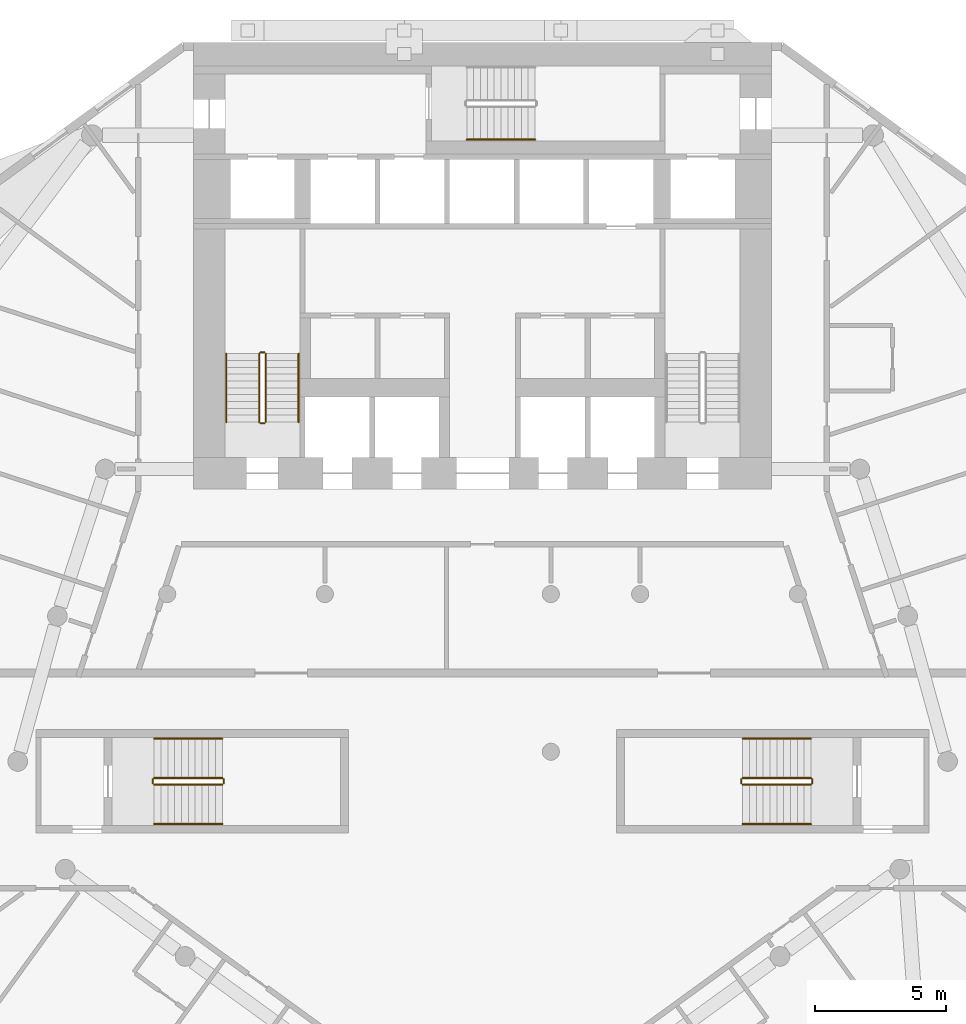
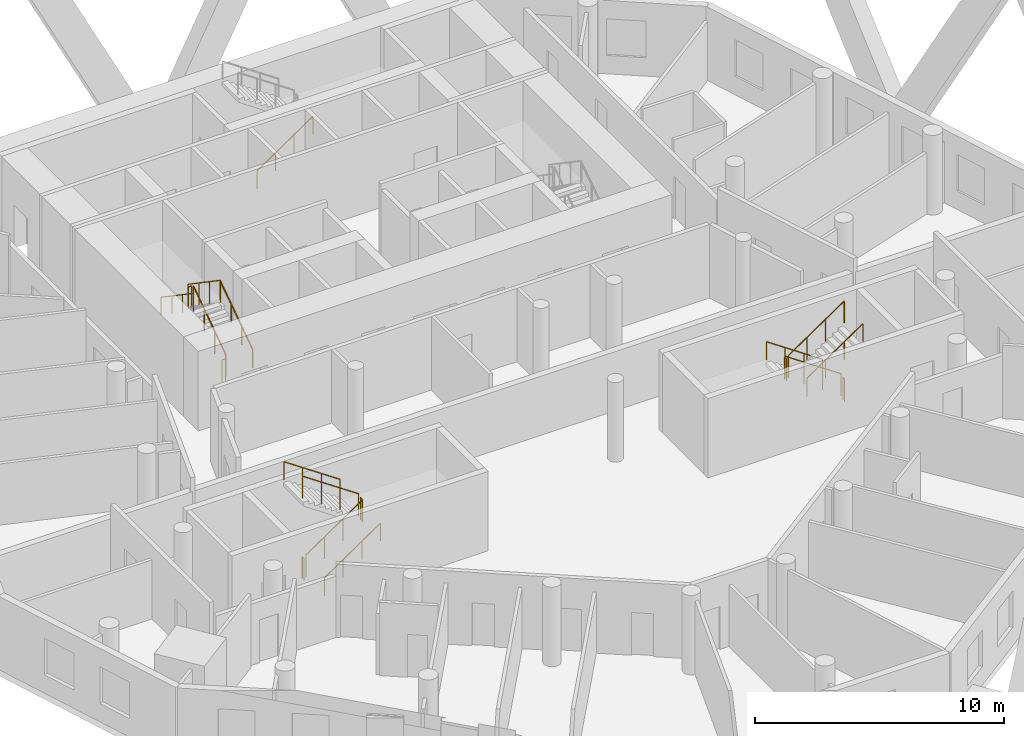
# One storey, part 9 of 10: 19 railings.
"""IFC4 building model written with IfcOpenShell, lengths in metres."""

from ifc_helpers import new_model, si_unit, direction, frame, origin, origin_2d, place, context, subcontext, project, spatial, circle, extrude, material, type_object, element, save


model = new_model("IFC4")

# Units and contexts
model_context = context("Model", 3, precision=1e-05, world=origin(), true_north=direction((0.0, 1.0)))
body_context = subcontext(model_context, "Body", "Model", "MODEL_VIEW")
ifc_project = project(units=[si_unit("LENGTHUNIT", "METRE"), si_unit("AREAUNIT", "SQUARE_METRE"), si_unit("VOLUMEUNIT", "CUBIC_METRE"), si_unit("PLANEANGLEUNIT", "RADIAN"), si_unit("MASSUNIT", "GRAM", prefix="KILO")], contexts=[model_context])

# Site, building, storey
site_placement = place(None, origin())
site = spatial("IfcSite", under=ifc_project, at=site_placement, CompositionType="ELEMENT")
building_placement = place(site_placement, origin())
building = spatial("IfcBuilding", under=site, at=building_placement, Name="White Candle Pilgrim Tower", CompositionType="ELEMENT")
storey_placement = place(building_placement, frame((0.0, 0.0, 42.89990234375)))
storey = spatial("IfcBuildingStorey", under=building, at=storey_placement, Name="L07", CompositionType="ELEMENT", Elevation=42.89990234375)

# Railings
ifc_material = material(Name="Stainless steel", Category="steel")
railing_type_1 = type_object("IfcRailingType", Name="Stair guard stainless steel 1100 mm", PredefinedType="GUARDRAIL", material=ifc_material)
railing_1_placement = place(storey_placement, frame((61.75, 73.550048828125, 0.177490234375)))
element("IfcRailing", 1, at=railing_1_placement, inside=storey, type_object=railing_type_1, Name="L07 ST1 stair guard 1", PredefinedType="GUARDRAIL", context=body_context, shape_type="SweptSolid", body=[
    extrude(circle(Radius=0.02392578125, at=origin_2d()), frame((0.0, 0.0, 1.076171875), z_axis=(0.0, 0.826215852431, 0.563353676824), x_axis=(-1.0, 0.0, 0.0)), (0.0, 0.0, 1.0), 3.146728515625),
    extrude(circle(Radius=0.02099609375, at=origin_2d()), origin(), (0.0, 0.0, 1.0), 1.052001953125),
    extrude(circle(Radius=0.02099609375, at=origin_2d()), frame((0.0, 0.86669921875, 0.5908203125)), (0.0, 0.0, 1.0), 1.052001953125),
    extrude(circle(Radius=0.02099609375, at=origin_2d()), frame((0.0, 1.733154296875, 1.181884765625)), (0.0, 0.0, 1.0), 1.052001953125),
    extrude(circle(Radius=0.02099609375, at=origin_2d()), frame((0.0, 2.599853515625, 1.772705078125)), (0.0, 0.0, 1.0), 1.052001953125),
])
railing_2_placement = place(storey_placement, frame((61.699951171875, 76.199951171875, 1.9501953125)))
element("IfcRailing", 2, at=railing_2_placement, inside=storey, type_object=railing_type_1, Name="L07 ST1 stair guard 2", PredefinedType="GUARDRAIL", context=body_context, shape_type="SweptSolid", body=[
    extrude(circle(Radius=0.02392578125, at=origin_2d()), frame((0.0, 0.0, 1.076171875), z_axis=(-1.0, 0.0, 0.0), x_axis=(0.0, -1.0, 0.0)), (0.0, 0.0, 1.0), 0.14990234375),
    extrude(circle(Radius=0.02099609375, at=origin_2d()), origin(), (0.0, 0.0, 1.0), 1.052001953125),
    extrude(circle(Radius=0.02099609375, at=origin_2d()), frame((-0.14990234375, 0.0, 0.0)), (0.0, 0.0, 1.0), 1.052001953125),
])
railing_3_placement = place(storey_placement, frame((61.5, 76.14990234375, 2.12744140625)))
element("IfcRailing", 3, at=railing_3_placement, inside=storey, type_object=railing_type_1, Name="L07 ST1 stair guard 3", PredefinedType="GUARDRAIL", context=body_context, shape_type="SweptSolid", body=[
    extrude(circle(Radius=0.02392578125, at=origin_2d()), frame((0.0, 0.0, 1.076171875), z_axis=(0.0, -0.826215852431, 0.563353676824), x_axis=(1.0, 0.0, 0.0)), (0.0, 0.0, 1.0), 3.146728515625),
    extrude(circle(Radius=0.02099609375, at=origin_2d()), origin(), (0.0, 0.0, 1.0), 1.052001953125),
    extrude(circle(Radius=0.02099609375, at=origin_2d()), frame((0.0, -0.86669921875, 0.5908203125)), (0.0, 0.0, 1.0), 1.052001953125),
    extrude(circle(Radius=0.02099609375, at=origin_2d()), frame((0.0, -1.733154296875, 1.181884765625)), (0.0, 0.0, 1.0), 1.052001953125),
    extrude(circle(Radius=0.02099609375, at=origin_2d()), frame((0.0, -2.599853515625, 1.772705078125)), (0.0, 0.0, 1.0), 1.052001953125),
])
railing_4_placement = place(storey_placement, frame((61.699951171875, 73.5, 0.0)))
element("IfcRailing", 4, at=railing_4_placement, inside=storey, type_object=railing_type_1, Name="L07 ST1 stair guard 4", PredefinedType="GUARDRAIL", context=body_context, shape_type="SweptSolid", body=[
    extrude(circle(Radius=0.02392578125, at=origin_2d()), frame((0.0, 0.0, 1.076171875), z_axis=(-1.0, 0.0, 0.0), x_axis=(0.0, -1.0, 0.0)), (0.0, 0.0, 1.0), 0.14990234375),
    extrude(circle(Radius=0.02099609375, at=origin_2d()), origin(), (0.0, 0.0, 1.0), 1.052001953125),
    extrude(circle(Radius=0.02099609375, at=origin_2d()), frame((-0.14990234375, 0.0, 0.0)), (0.0, 0.0, 1.0), 1.052001953125),
])
railing_5_placement = place(storey_placement, frame((82.5, 60.0, 0.177490234375)))
element("IfcRailing", 5, at=railing_5_placement, inside=storey, type_object=railing_type_1, Name="L07 ST4 stair guard 1", PredefinedType="GUARDRAIL", context=body_context, shape_type="SweptSolid", body=[
    extrude(circle(Radius=0.02392578125, at=origin_2d()), frame((0.0, 0.0, 1.076171875), z_axis=(-0.826240473404, 0.0, 0.563317565952), x_axis=(0.0, -1.0, 0.0)), (0.0, 0.0, 1.0), 3.14697265625),
    extrude(circle(Radius=0.02099609375, at=origin_2d()), origin(), (0.0, 0.0, 1.0), 1.052001953125),
    extrude(circle(Radius=0.02099609375, at=origin_2d()), frame((-0.86669921875, 0.0, 0.5908203125)), (0.0, 0.0, 1.0), 1.052001953125),
    extrude(circle(Radius=0.02099609375, at=origin_2d()), frame((-1.7333984375, 0.0, 1.181884765625)), (0.0, 0.0, 1.0), 1.052001953125),
    extrude(circle(Radius=0.02099609375, at=origin_2d()), frame((-2.60009765625, 0.0, 1.772705078125)), (0.0, 0.0, 1.0), 1.052001953125),
])
railing_6_placement = place(storey_placement, frame((79.85009765625, 59.949951171875, 1.9501953125)))
element("IfcRailing", 6, at=railing_6_placement, inside=storey, type_object=railing_type_1, Name="L07 ST4 stair guard 2", PredefinedType="GUARDRAIL", context=body_context, shape_type="SweptSolid", body=[
    extrude(circle(Radius=0.02392578125, at=origin_2d()), frame((0.0, 0.0, 1.076171875), z_axis=(0.0, -1.0, 0.0), x_axis=(1.0, 0.0, 0.0)), (0.0, 0.0, 1.0), 0.14990234375),
    extrude(circle(Radius=0.02099609375, at=origin_2d()), origin(), (0.0, 0.0, 1.0), 1.052001953125),
    extrude(circle(Radius=0.02099609375, at=origin_2d()), frame((0.0, -0.14990234375, 0.0)), (0.0, 0.0, 1.0), 1.052001953125),
])
railing_7_placement = place(storey_placement, frame((79.89990234375, 59.75, 2.12744140625)))
element("IfcRailing", 7, at=railing_7_placement, inside=storey, type_object=railing_type_1, Name="L07 ST4 stair guard 3", PredefinedType="GUARDRAIL", context=body_context, shape_type="SweptSolid", body=[
    extrude(circle(Radius=0.02392578125, at=origin_2d()), frame((0.0, 0.0, 1.076171875), z_axis=(0.826240473404, 0.0, 0.563317565952), x_axis=(0.0, 1.0, 0.0)), (0.0, 0.0, 1.0), 3.14697265625),
    extrude(circle(Radius=0.02099609375, at=origin_2d()), origin(), (0.0, 0.0, 1.0), 1.052001953125),
    extrude(circle(Radius=0.02099609375, at=origin_2d()), frame((0.86669921875, 0.0, 0.5908203125)), (0.0, 0.0, 1.0), 1.052001953125),
    extrude(circle(Radius=0.02099609375, at=origin_2d()), frame((1.7333984375, 0.0, 1.181884765625)), (0.0, 0.0, 1.0), 1.052001953125),
    extrude(circle(Radius=0.02099609375, at=origin_2d()), frame((2.60009765625, 0.0, 1.772705078125)), (0.0, 0.0, 1.0), 1.052001953125),
])
railing_8_placement = place(storey_placement, frame((82.550048828125, 59.949951171875, 0.0)))
element("IfcRailing", 8, at=railing_8_placement, inside=storey, type_object=railing_type_1, Name="L07 ST4 stair guard 4", PredefinedType="GUARDRAIL", context=body_context, shape_type="SweptSolid", body=[
    extrude(circle(Radius=0.02392578125, at=origin_2d()), frame((0.0, 0.0, 1.076171875), z_axis=(0.0, -1.0, 0.0), x_axis=(1.0, 0.0, 0.0)), (0.0, 0.0, 1.0), 0.14990234375),
    extrude(circle(Radius=0.02099609375, at=origin_2d()), origin(), (0.0, 0.0, 1.0), 1.052001953125),
    extrude(circle(Radius=0.02099609375, at=origin_2d()), frame((0.0, -0.14990234375, 0.0)), (0.0, 0.0, 1.0), 1.052001953125),
])
railing_9_placement = place(storey_placement, frame((57.5, 59.75, 0.177490234375)))
element("IfcRailing", 9, at=railing_9_placement, inside=storey, type_object=railing_type_1, Name="L07 ST5 stair guard 1", PredefinedType="GUARDRAIL", context=body_context, shape_type="SweptSolid", body=[
    extrude(circle(Radius=0.02392578125, at=origin_2d()), frame((0.0, 0.0, 1.076171875), z_axis=(0.826240473404, 0.0, 0.563317565952), x_axis=(0.0, 1.0, 0.0)), (0.0, 0.0, 1.0), 3.14697265625),
    extrude(circle(Radius=0.02099609375, at=origin_2d()), origin(), (0.0, 0.0, 1.0), 1.052001953125),
    extrude(circle(Radius=0.02099609375, at=origin_2d()), frame((0.86669921875, 0.0, 0.5908203125)), (0.0, 0.0, 1.0), 1.052001953125),
    extrude(circle(Radius=0.02099609375, at=origin_2d()), frame((1.7333984375, 0.0, 1.181884765625)), (0.0, 0.0, 1.0), 1.052001953125),
    extrude(circle(Radius=0.02099609375, at=origin_2d()), frame((2.60009765625, 0.0, 1.772705078125)), (0.0, 0.0, 1.0), 1.052001953125),
])
railing_10_placement = place(storey_placement, frame((60.14990234375, 59.800048828125, 1.9501953125)))
element("IfcRailing", 10, at=railing_10_placement, inside=storey, type_object=railing_type_1, Name="L07 ST5 stair guard 2", PredefinedType="GUARDRAIL", context=body_context, shape_type="SweptSolid", body=[
    extrude(circle(Radius=0.02392578125, at=origin_2d()), frame((0.0, 0.0, 1.076171875), z_axis=(0.0, 1.0, 0.0), x_axis=(-1.0, 0.0, 0.0)), (0.0, 0.0, 1.0), 0.14990234375),
    extrude(circle(Radius=0.02099609375, at=origin_2d()), origin(), (0.0, 0.0, 1.0), 1.052001953125),
    extrude(circle(Radius=0.02099609375, at=origin_2d()), frame((0.0, 0.14990234375, 0.0)), (0.0, 0.0, 1.0), 1.052001953125),
])
railing_11_placement = place(storey_placement, frame((60.10009765625, 60.0, 2.12744140625)))
element("IfcRailing", 11, at=railing_11_placement, inside=storey, type_object=railing_type_1, Name="L07 ST5 stair guard 3", PredefinedType="GUARDRAIL", context=body_context, shape_type="SweptSolid", body=[
    extrude(circle(Radius=0.02392578125, at=origin_2d()), frame((0.0, 0.0, 1.076171875), z_axis=(-0.826240473404, 0.0, 0.563317565952), x_axis=(0.0, -1.0, 0.0)), (0.0, 0.0, 1.0), 3.14697265625),
    extrude(circle(Radius=0.02099609375, at=origin_2d()), origin(), (0.0, 0.0, 1.0), 1.052001953125),
    extrude(circle(Radius=0.02099609375, at=origin_2d()), frame((-0.86669921875, 0.0, 0.5908203125)), (0.0, 0.0, 1.0), 1.052001953125),
    extrude(circle(Radius=0.02099609375, at=origin_2d()), frame((-1.7333984375, 0.0, 1.181884765625)), (0.0, 0.0, 1.0), 1.052001953125),
    extrude(circle(Radius=0.02099609375, at=origin_2d()), frame((-2.60009765625, 0.0, 1.772705078125)), (0.0, 0.0, 1.0), 1.052001953125),
])
railing_12_placement = place(storey_placement, frame((57.449951171875, 59.800048828125, 0.0)))
element("IfcRailing", 12, at=railing_12_placement, inside=storey, type_object=railing_type_1, Name="L07 ST5 stair guard 4", PredefinedType="GUARDRAIL", context=body_context, shape_type="SweptSolid", body=[
    extrude(circle(Radius=0.02392578125, at=origin_2d()), frame((0.0, 0.0, 1.076171875), z_axis=(0.0, 1.0, 0.0), x_axis=(-1.0, 0.0, 0.0)), (0.0, 0.0, 1.0), 0.14990234375),
    extrude(circle(Radius=0.02099609375, at=origin_2d()), origin(), (0.0, 0.0, 1.0), 1.052001953125),
    extrude(circle(Radius=0.02099609375, at=origin_2d()), frame((0.0, 0.14990234375, 0.0)), (0.0, 0.0, 1.0), 1.052001953125),
])
railing_type_2 = type_object("IfcRailingType", Name="Stair handrail stainless steel", PredefinedType="HANDRAIL", material=ifc_material)
railing_13_placement = place(storey_placement, frame((63.0, 73.550048828125, 0.177490234375)))
element("IfcRailing", 13, at=railing_13_placement, inside=storey, type_object=railing_type_2, Name="L07 ST1 stair handrail 1", PredefinedType="HANDRAIL", context=body_context, shape_type="SweptSolid", body=[
    extrude(circle(Radius=0.02392578125, at=origin_2d()), frame((0.0, 0.0, 0.8759765625), z_axis=(0.0, 0.826215852431, 0.563353676824), x_axis=(-1.0, 0.0, 0.0)), (0.0, 0.0, 1.0), 3.146728515625),
    extrude(circle(Radius=0.02099609375, at=origin_2d()), origin(), (0.0, 0.0, 1.0), 0.851806640625),
    extrude(circle(Radius=0.02099609375, at=origin_2d()), frame((0.0, 0.86669921875, 0.5908203125)), (0.0, 0.0, 1.0), 0.851806640625),
    extrude(circle(Radius=0.02099609375, at=origin_2d()), frame((0.0, 1.733154296875, 1.181884765625)), (0.0, 0.0, 1.0), 0.851806640625),
    extrude(circle(Radius=0.02099609375, at=origin_2d()), frame((0.0, 2.599853515625, 1.772705078125)), (0.0, 0.0, 1.0), 0.851806640625),
])
railing_14_placement = place(storey_placement, frame((60.25, 76.14990234375, 2.12744140625)))
element("IfcRailing", 14, at=railing_14_placement, inside=storey, type_object=railing_type_2, Name="L07 ST1 stair handrail 2", PredefinedType="HANDRAIL", context=body_context, shape_type="SweptSolid", body=[
    extrude(circle(Radius=0.02392578125, at=origin_2d()), frame((0.0, 0.0, 0.8759765625), z_axis=(0.0, -0.826215852431, 0.563353676824), x_axis=(1.0, 0.0, 0.0)), (0.0, 0.0, 1.0), 3.146728515625),
    extrude(circle(Radius=0.02099609375, at=origin_2d()), origin(), (0.0, 0.0, 1.0), 0.851806640625),
    extrude(circle(Radius=0.02099609375, at=origin_2d()), frame((0.0, -0.86669921875, 0.5908203125)), (0.0, 0.0, 1.0), 0.851806640625),
    extrude(circle(Radius=0.02099609375, at=origin_2d()), frame((0.0, -1.733154296875, 1.181884765625)), (0.0, 0.0, 1.0), 0.851806640625),
    extrude(circle(Radius=0.02099609375, at=origin_2d()), frame((0.0, -2.599853515625, 1.772705078125)), (0.0, 0.0, 1.0), 0.851806640625),
])
railing_15_placement = place(storey_placement, frame((69.39990234375, 84.300048828125, 0.177490234375)))
element("IfcRailing", 15, at=railing_15_placement, inside=storey, type_object=railing_type_2, Name="L07 ST3 stair handrail 1", PredefinedType="HANDRAIL", context=body_context, shape_type="SweptSolid", body=[
    extrude(circle(Radius=0.02392578125, at=origin_2d()), frame((0.0, 0.0, 0.8759765625), z_axis=(0.826240473404, 0.0, 0.563317565952), x_axis=(0.0, 1.0, 0.0)), (0.0, 0.0, 1.0), 3.14697265625),
    extrude(circle(Radius=0.02099609375, at=origin_2d()), origin(), (0.0, 0.0, 1.0), 0.851806640625),
    extrude(circle(Radius=0.02099609375, at=origin_2d()), frame((0.86669921875, 0.0, 0.5908203125)), (0.0, 0.0, 1.0), 0.851806640625),
    extrude(circle(Radius=0.02099609375, at=origin_2d()), frame((1.7333984375, 0.0, 1.181884765625)), (0.0, 0.0, 1.0), 0.851806640625),
    extrude(circle(Radius=0.02099609375, at=origin_2d()), frame((2.60009765625, 0.0, 1.772705078125)), (0.0, 0.0, 1.0), 0.851806640625),
])
railing_16_placement = place(storey_placement, frame((82.5, 61.5, 0.177490234375)))
element("IfcRailing", 16, at=railing_16_placement, inside=storey, type_object=railing_type_2, Name="L07 ST4 stair handrail 1", PredefinedType="HANDRAIL", context=body_context, shape_type="SweptSolid", body=[
    extrude(circle(Radius=0.02392578125, at=origin_2d()), frame((0.0, 0.0, 0.8759765625), z_axis=(-0.826240473404, 0.0, 0.563317565952), x_axis=(0.0, -1.0, 0.0)), (0.0, 0.0, 1.0), 3.14697265625),
    extrude(circle(Radius=0.02099609375, at=origin_2d()), origin(), (0.0, 0.0, 1.0), 0.851806640625),
    extrude(circle(Radius=0.02099609375, at=origin_2d()), frame((-0.86669921875, 0.0, 0.5908203125)), (0.0, 0.0, 1.0), 0.851806640625),
    extrude(circle(Radius=0.02099609375, at=origin_2d()), frame((-1.7333984375, 0.0, 1.181884765625)), (0.0, 0.0, 1.0), 0.851806640625),
    extrude(circle(Radius=0.02099609375, at=origin_2d()), frame((-2.60009765625, 0.0, 1.772705078125)), (0.0, 0.0, 1.0), 0.851806640625),
])
for number, where, name in (
    (17, (79.89990234375, 58.25, 2.12744140625), "L07 ST4 stair handrail 2"),
    (18, (57.5, 58.25, 0.177490234375), "L07 ST5 stair handrail 1"),
):
    element("IfcRailing", number, at=place(storey_placement, frame(where)), inside=storey, type_object=railing_type_2, Name=name, PredefinedType="HANDRAIL", context=body_context, shape_type="SweptSolid", body=[
        extrude(circle(Radius=0.02392578125, at=origin_2d()), frame((0.0, 0.0, 0.8759765625), z_axis=(0.826240473404, 0.0, 0.563317565952), x_axis=(0.0, 1.0, 0.0)), (0.0, 0.0, 1.0), 3.14697265625),
        extrude(circle(Radius=0.02099609375, at=origin_2d()), origin(), (0.0, 0.0, 1.0), 0.851806640625),
        extrude(circle(Radius=0.02099609375, at=origin_2d()), frame((0.86669921875, 0.0, 0.5908203125)), (0.0, 0.0, 1.0), 0.851806640625),
        extrude(circle(Radius=0.02099609375, at=origin_2d()), frame((1.7333984375, 0.0, 1.181884765625)), (0.0, 0.0, 1.0), 0.851806640625),
        extrude(circle(Radius=0.02099609375, at=origin_2d()), frame((2.60009765625, 0.0, 1.772705078125)), (0.0, 0.0, 1.0), 0.851806640625),
    ])
railing_17_placement = place(storey_placement, frame((60.10009765625, 61.5, 2.12744140625)))
element("IfcRailing", 19, at=railing_17_placement, inside=storey, type_object=railing_type_2, Name="L07 ST5 stair handrail 2", PredefinedType="HANDRAIL", context=body_context, shape_type="SweptSolid", body=[
    extrude(circle(Radius=0.02392578125, at=origin_2d()), frame((0.0, 0.0, 0.8759765625), z_axis=(-0.826240473404, 0.0, 0.563317565952), x_axis=(0.0, -1.0, 0.0)), (0.0, 0.0, 1.0), 3.14697265625),
    extrude(circle(Radius=0.02099609375, at=origin_2d()), origin(), (0.0, 0.0, 1.0), 0.851806640625),
    extrude(circle(Radius=0.02099609375, at=origin_2d()), frame((-0.86669921875, 0.0, 0.5908203125)), (0.0, 0.0, 1.0), 0.851806640625),
    extrude(circle(Radius=0.02099609375, at=origin_2d()), frame((-1.7333984375, 0.0, 1.181884765625)), (0.0, 0.0, 1.0), 0.851806640625),
    extrude(circle(Radius=0.02099609375, at=origin_2d()), frame((-2.60009765625, 0.0, 1.772705078125)), (0.0, 0.0, 1.0), 0.851806640625),
])

save(model, "model.ifc")
